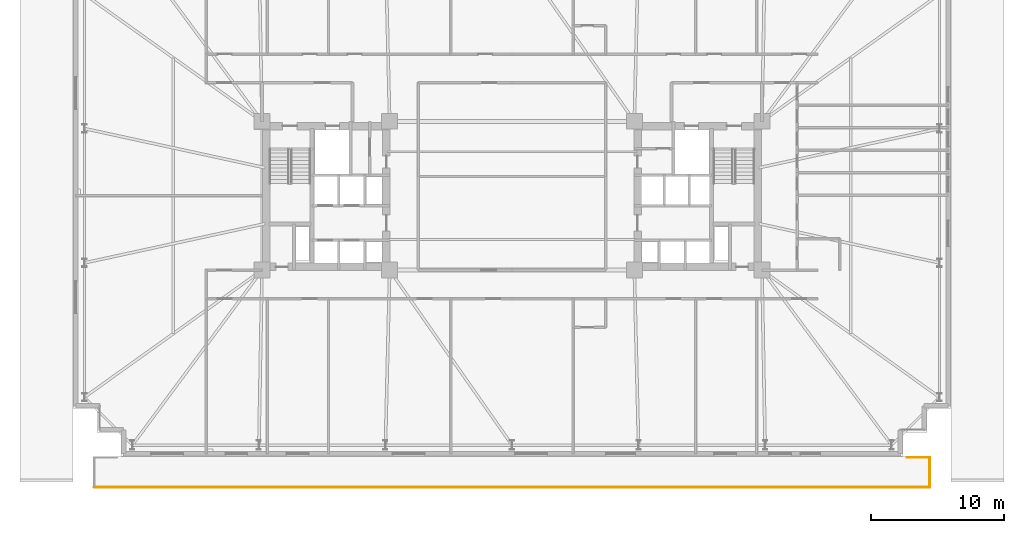
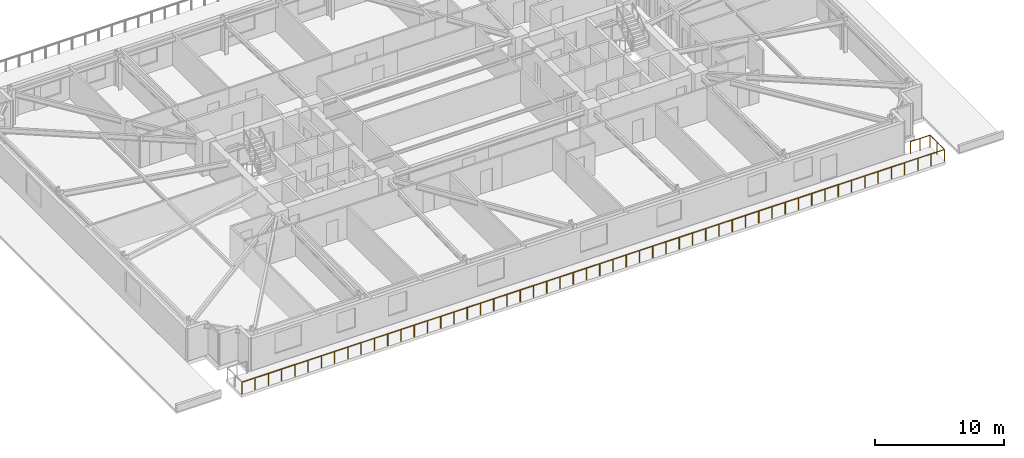
# One storey, part 19 of 21: 1 railing.
"""IFC4 building model written with IfcOpenShell, lengths in metres."""

from ifc_helpers import new_model, si_unit, direction, frame, origin, origin_2d, place, context, subcontext, project, spatial, circle, extrude, material, type_object, element, save


model = new_model("IFC4")

# Units and contexts
model_context = context("Model", 3, precision=1e-05, world=origin(), true_north=direction((0.0, 1.0)))
body_context = subcontext(model_context, "Body", "Model", "MODEL_VIEW")
ifc_project = project(units=[si_unit("LENGTHUNIT", "METRE"), si_unit("AREAUNIT", "SQUARE_METRE"), si_unit("VOLUMEUNIT", "CUBIC_METRE"), si_unit("PLANEANGLEUNIT", "RADIAN"), si_unit("MASSUNIT", "GRAM", prefix="KILO")], contexts=[model_context])

# Site, building, storey
site_placement = place(None, origin())
site = spatial("IfcSite", under=ifc_project, at=site_placement, CompositionType="ELEMENT")
building_placement = place(site_placement, origin())
building = spatial("IfcBuilding", under=site, at=building_placement, Name="Qobustan Lattice House", CompositionType="ELEMENT")
storey_placement = place(building_placement, frame((0.0, 0.0, 27.0)))
storey = spatial("IfcBuildingStorey", under=building, at=storey_placement, Name="L06", CompositionType="ELEMENT", Elevation=27.0)

# Railing
ifc_material = material(Name="Anodised bronze and laminated glass balustrade", Category="glass")
railing_type = type_object("IfcRailingType", Name="RAL-TERR-1150", PredefinedType="BALUSTRADE", material=ifc_material)
railing_placement = place(storey_placement, frame((29.699951171875, -19.679931640625, 0.0)))
element("IfcRailing", 1, at=railing_placement, inside=storey, type_object=railing_type, Name="L06 outdoor terrace balustrade 2", PredefinedType="BALUSTRADE", context=body_context, shape_type="SweptSolid", body=[
    extrude(circle(Radius=0.02392578125, at=origin_2d()), frame((0.0, 0.0, 1.1259765625), z_axis=(1.0, 0.0, 0.0), x_axis=(0.0, 1.0, 0.0)), (0.0, 0.0, 1.0), 1.719970703125),
    extrude(circle(Radius=0.02392578125, at=origin_2d()), frame((1.719970703125, 0.0, 1.1259765625), z_axis=(0.0, -1.0, 0.0), x_axis=(1.0, 0.0, 0.0)), (0.0, 0.0, 1.0), 2.239990234375),
    extrude(circle(Radius=0.02392578125, at=origin_2d()), frame((1.719970703125, -2.239990234375, 1.1259765625), z_axis=(-1.0, 0.0, 0.0), x_axis=(0.0, -1.0, 0.0)), (0.0, 0.0, 1.0), 62.83984375),
    extrude(circle(Radius=0.02099609375, at=origin_2d()), origin(), (0.0, 0.0, 1.0), 1.101806640625),
    extrude(circle(Radius=0.02099609375, at=origin_2d()), frame((0.85986328125, 0.0, 0.0)), (0.0, 0.0, 1.0), 1.101806640625),
    extrude(circle(Radius=0.02099609375, at=origin_2d()), frame((1.719970703125, 0.0, 0.0)), (0.0, 0.0, 1.0), 1.101806640625),
    extrude(circle(Radius=0.02099609375, at=origin_2d()), frame((1.719970703125, -1.1201171875, 0.0)), (0.0, 0.0, 1.0), 1.101806640625),
    extrude(circle(Radius=0.02099609375, at=origin_2d()), frame((1.719970703125, -2.239990234375, 0.0)), (0.0, 0.0, 1.0), 1.101806640625),
    extrude(circle(Radius=0.02099609375, at=origin_2d()), frame((0.534423828125, -2.239990234375, 0.0)), (0.0, 0.0, 1.0), 1.101806640625),
    extrude(circle(Radius=0.02099609375, at=origin_2d()), frame((-0.6513671875, -2.239990234375, 0.0)), (0.0, 0.0, 1.0), 1.101806640625),
    extrude(circle(Radius=0.02099609375, at=origin_2d()), frame((-1.8369140625, -2.239990234375, 0.0)), (0.0, 0.0, 1.0), 1.101806640625),
    extrude(circle(Radius=0.02099609375, at=origin_2d()), frame((-3.022705078125, -2.239990234375, 0.0)), (0.0, 0.0, 1.0), 1.101806640625),
    extrude(circle(Radius=0.02099609375, at=origin_2d()), frame((-4.208251953125, -2.239990234375, 0.0)), (0.0, 0.0, 1.0), 1.101806640625),
    extrude(circle(Radius=0.02099609375, at=origin_2d()), frame((-5.39404296875, -2.239990234375, 0.0)), (0.0, 0.0, 1.0), 1.101806640625),
    extrude(circle(Radius=0.02099609375, at=origin_2d()), frame((-6.57958984375, -2.239990234375, 0.0)), (0.0, 0.0, 1.0), 1.101806640625),
    extrude(circle(Radius=0.02099609375, at=origin_2d()), frame((-7.765380859375, -2.239990234375, 0.0)), (0.0, 0.0, 1.0), 1.101806640625),
    extrude(circle(Radius=0.02099609375, at=origin_2d()), frame((-8.950927734375, -2.239990234375, 0.0)), (0.0, 0.0, 1.0), 1.101806640625),
    extrude(circle(Radius=0.02099609375, at=origin_2d()), frame((-10.13671875, -2.239990234375, 0.0)), (0.0, 0.0, 1.0), 1.101806640625),
    extrude(circle(Radius=0.02099609375, at=origin_2d()), frame((-11.322265625, -2.239990234375, 0.0)), (0.0, 0.0, 1.0), 1.101806640625),
    extrude(circle(Radius=0.02099609375, at=origin_2d()), frame((-12.5078125, -2.239990234375, 0.0)), (0.0, 0.0, 1.0), 1.101806640625),
    extrude(circle(Radius=0.02099609375, at=origin_2d()), frame((-13.693603515625, -2.239990234375, 0.0)), (0.0, 0.0, 1.0), 1.101806640625),
    extrude(circle(Radius=0.02099609375, at=origin_2d()), frame((-14.879150390625, -2.239990234375, 0.0)), (0.0, 0.0, 1.0), 1.101806640625),
    extrude(circle(Radius=0.02099609375, at=origin_2d()), frame((-16.06494140625, -2.239990234375, 0.0)), (0.0, 0.0, 1.0), 1.101806640625),
    extrude(circle(Radius=0.02099609375, at=origin_2d()), frame((-17.25048828125, -2.239990234375, 0.0)), (0.0, 0.0, 1.0), 1.101806640625),
    extrude(circle(Radius=0.02099609375, at=origin_2d()), frame((-18.436279296875, -2.239990234375, 0.0)), (0.0, 0.0, 1.0), 1.101806640625),
    extrude(circle(Radius=0.02099609375, at=origin_2d()), frame((-19.621826171875, -2.239990234375, 0.0)), (0.0, 0.0, 1.0), 1.101806640625),
    extrude(circle(Radius=0.02099609375, at=origin_2d()), frame((-20.8076171875, -2.239990234375, 0.0)), (0.0, 0.0, 1.0), 1.101806640625),
    extrude(circle(Radius=0.02099609375, at=origin_2d()), frame((-21.9931640625, -2.239990234375, 0.0)), (0.0, 0.0, 1.0), 1.101806640625),
    extrude(circle(Radius=0.02099609375, at=origin_2d()), frame((-23.178955078125, -2.239990234375, 0.0)), (0.0, 0.0, 1.0), 1.101806640625),
    extrude(circle(Radius=0.02099609375, at=origin_2d()), frame((-24.364501953125, -2.239990234375, 0.0)), (0.0, 0.0, 1.0), 1.101806640625),
    extrude(circle(Radius=0.02099609375, at=origin_2d()), frame((-25.550048828125, -2.239990234375, 0.0)), (0.0, 0.0, 1.0), 1.101806640625),
    extrude(circle(Radius=0.02099609375, at=origin_2d()), frame((-26.73583984375, -2.239990234375, 0.0)), (0.0, 0.0, 1.0), 1.101806640625),
    extrude(circle(Radius=0.02099609375, at=origin_2d()), frame((-27.92138671875, -2.239990234375, 0.0)), (0.0, 0.0, 1.0), 1.101806640625),
    extrude(circle(Radius=0.02099609375, at=origin_2d()), frame((-29.107177734375, -2.239990234375, 0.0)), (0.0, 0.0, 1.0), 1.101806640625),
    extrude(circle(Radius=0.02099609375, at=origin_2d()), frame((-30.292724609375, -2.239990234375, 0.0)), (0.0, 0.0, 1.0), 1.101806640625),
    extrude(circle(Radius=0.02099609375, at=origin_2d()), frame((-31.478515625, -2.239990234375, 0.0)), (0.0, 0.0, 1.0), 1.101806640625),
    extrude(circle(Radius=0.02099609375, at=origin_2d()), frame((-32.6640625, -2.239990234375, 0.0)), (0.0, 0.0, 1.0), 1.101806640625),
    extrude(circle(Radius=0.02099609375, at=origin_2d()), frame((-33.849853515625, -2.239990234375, 0.0)), (0.0, 0.0, 1.0), 1.101806640625),
    extrude(circle(Radius=0.02099609375, at=origin_2d()), frame((-35.035400390625, -2.239990234375, 0.0)), (0.0, 0.0, 1.0), 1.101806640625),
    extrude(circle(Radius=0.02099609375, at=origin_2d()), frame((-36.220947265625, -2.239990234375, 0.0)), (0.0, 0.0, 1.0), 1.101806640625),
    extrude(circle(Radius=0.02099609375, at=origin_2d()), frame((-37.40673828125, -2.239990234375, 0.0)), (0.0, 0.0, 1.0), 1.101806640625),
    extrude(circle(Radius=0.02099609375, at=origin_2d()), frame((-38.59228515625, -2.239990234375, 0.0)), (0.0, 0.0, 1.0), 1.101806640625),
    extrude(circle(Radius=0.02099609375, at=origin_2d()), frame((-39.778076171875, -2.239990234375, 0.0)), (0.0, 0.0, 1.0), 1.101806640625),
    extrude(circle(Radius=0.02099609375, at=origin_2d()), frame((-40.963623046875, -2.239990234375, 0.0)), (0.0, 0.0, 1.0), 1.101806640625),
    extrude(circle(Radius=0.02099609375, at=origin_2d()), frame((-42.1494140625, -2.239990234375, 0.0)), (0.0, 0.0, 1.0), 1.101806640625),
    extrude(circle(Radius=0.02099609375, at=origin_2d()), frame((-43.3349609375, -2.239990234375, 0.0)), (0.0, 0.0, 1.0), 1.101806640625),
    extrude(circle(Radius=0.02099609375, at=origin_2d()), frame((-44.520751953125, -2.239990234375, 0.0)), (0.0, 0.0, 1.0), 1.101806640625),
    extrude(circle(Radius=0.02099609375, at=origin_2d()), frame((-45.706298828125, -2.239990234375, 0.0)), (0.0, 0.0, 1.0), 1.101806640625),
    extrude(circle(Radius=0.02099609375, at=origin_2d()), frame((-46.89208984375, -2.239990234375, 0.0)), (0.0, 0.0, 1.0), 1.101806640625),
    extrude(circle(Radius=0.02099609375, at=origin_2d()), frame((-48.07763671875, -2.239990234375, 0.0)), (0.0, 0.0, 1.0), 1.101806640625),
    extrude(circle(Radius=0.02099609375, at=origin_2d()), frame((-49.26318359375, -2.239990234375, 0.0)), (0.0, 0.0, 1.0), 1.101806640625),
    extrude(circle(Radius=0.02099609375, at=origin_2d()), frame((-50.448974609375, -2.239990234375, 0.0)), (0.0, 0.0, 1.0), 1.101806640625),
    extrude(circle(Radius=0.02099609375, at=origin_2d()), frame((-51.634521484375, -2.239990234375, 0.0)), (0.0, 0.0, 1.0), 1.101806640625),
    extrude(circle(Radius=0.02099609375, at=origin_2d()), frame((-52.8203125, -2.239990234375, 0.0)), (0.0, 0.0, 1.0), 1.101806640625),
    extrude(circle(Radius=0.02099609375, at=origin_2d()), frame((-54.005859375, -2.239990234375, 0.0)), (0.0, 0.0, 1.0), 1.101806640625),
    extrude(circle(Radius=0.02099609375, at=origin_2d()), frame((-55.191650390625, -2.239990234375, 0.0)), (0.0, 0.0, 1.0), 1.101806640625),
    extrude(circle(Radius=0.02099609375, at=origin_2d()), frame((-56.377197265625, -2.239990234375, 0.0)), (0.0, 0.0, 1.0), 1.101806640625),
    extrude(circle(Radius=0.02099609375, at=origin_2d()), frame((-57.56298828125, -2.239990234375, 0.0)), (0.0, 0.0, 1.0), 1.101806640625),
    extrude(circle(Radius=0.02099609375, at=origin_2d()), frame((-58.74853515625, -2.239990234375, 0.0)), (0.0, 0.0, 1.0), 1.101806640625),
    extrude(circle(Radius=0.02099609375, at=origin_2d()), frame((-59.934326171875, -2.239990234375, 0.0)), (0.0, 0.0, 1.0), 1.101806640625),
    extrude(circle(Radius=0.02099609375, at=origin_2d()), frame((-61.119873046875, -2.239990234375, 0.0)), (0.0, 0.0, 1.0), 1.101806640625),
])

save(model, "model.ifc")
